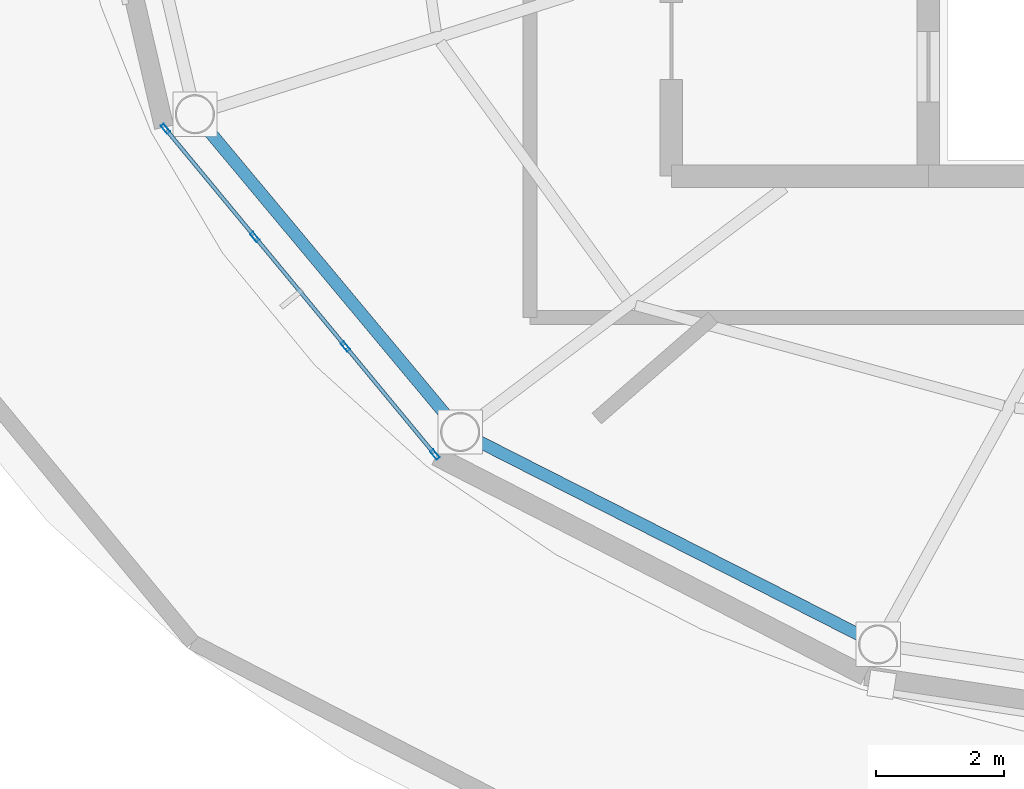
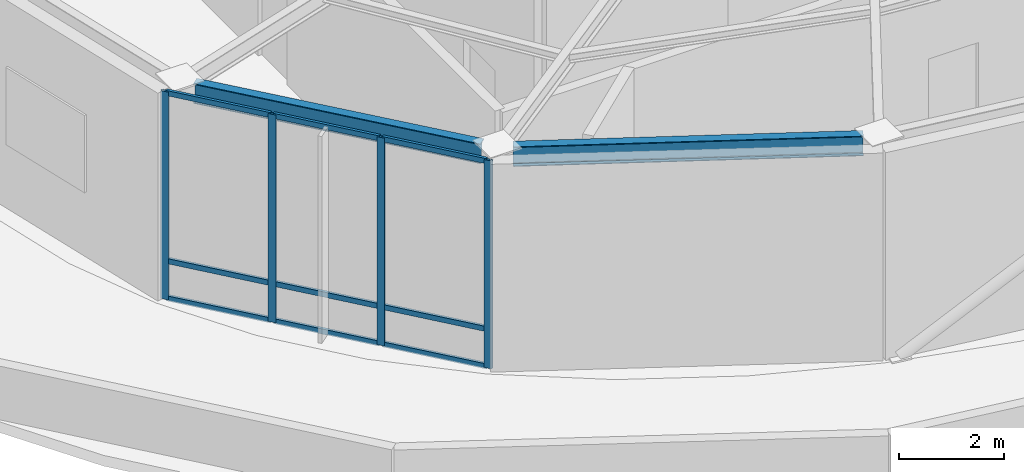
# One storey, part 2 of 15: 13 members, 2 beams, 1 element without a shape of its own.
"""IFC4 building model written with IfcOpenShell, lengths in metres."""

from ifc_helpers import new_model, si_unit, direction, frame, origin, origin_2d, place, context, subcontext, project, spatial, hollow_rectangle, i_section, extrude, material, layer, layer_set, material_profile, profile_set, type_object, element, aggregate, save


model = new_model("IFC4")

# Units and contexts
model_context = context("Model", 3, precision=1e-05, world=origin(), true_north=direction((0.0, 1.0)))
body_context = subcontext(model_context, "Body", "Model", "MODEL_VIEW")
ifc_project = project(units=[si_unit("LENGTHUNIT", "METRE"), si_unit("AREAUNIT", "SQUARE_METRE"), si_unit("VOLUMEUNIT", "CUBIC_METRE"), si_unit("PLANEANGLEUNIT", "RADIAN"), si_unit("MASSUNIT", "GRAM", prefix="KILO")], contexts=[model_context])

# Site, building, storey
site_placement = place(None, origin())
site = spatial("IfcSite", under=ifc_project, at=site_placement, CompositionType="ELEMENT")
building_placement = place(site_placement, origin())
building = spatial("IfcBuilding", under=site, at=building_placement, Name="Sarneth Arch Tower", CompositionType="ELEMENT")
storey_placement = place(building_placement, frame((0.0, 0.0, 316.5)))
storey = spatial("IfcBuildingStorey", under=building, at=storey_placement, Name="L82", CompositionType="ELEMENT", Elevation=316.5)

# Beams
ifc_material_1 = material(Name="Steel S355", Category="steel")
ifc_material_profile_1 = material_profile(ifc_material_1, i_section(OverallWidth=0.19189453125, OverallDepth=0.462890625, WebThickness=0.010498046875, FlangeThickness=0.017578125, FilletRadius=0.01806640625, at=origin_2d()), Name="W460x89")
ifc_profile_set_1 = profile_set([ifc_material_profile_1], Name="Steel S355")
beam_type = type_object("IfcBeamType", Name="BM-RAD-460B", PredefinedType="BEAM", material=ifc_profile_set_1)
beam_1_placement = place(storey_placement, frame((29.778076171875, 35.929931640625, 4.6083984375), z_axis=(0.64067411458, -0.767812919211, 0.0), x_axis=(0.767812919211, 0.64067411458, 0.0)))
element("IfcBeam", 1, at=beam_1_placement, inside=storey, type_object=beam_type, Name="L82 Perimeter spandrel beam 10", PredefinedType="BEAM", context=body_context, shape_type="SweptSolid", body=[
    extrude(i_section(OverallWidth=0.19189453125, OverallDepth=0.462890625, WebThickness=0.010498046875, FlangeThickness=0.017578125, FilletRadius=0.01806640625, at=origin_2d()), origin(), (0.0, 0.0, 1.0), 5.833740234375),
])
beam_2_placement = place(storey_placement, frame((33.98291015625, 31.078369140625, 4.6083984375), z_axis=(0.891524580884, -0.45297231889, 0.0), x_axis=(0.45297231889, 0.891524580884, 0.0)))
element("IfcBeam", 2, at=beam_2_placement, inside=storey, type_object=beam_type, Name="L82 Perimeter spandrel beam 11", PredefinedType="BEAM", context=body_context, shape_type="SweptSolid", body=[
    extrude(i_section(OverallWidth=0.19189453125, OverallDepth=0.462890625, WebThickness=0.010498046875, FlangeThickness=0.017578125, FilletRadius=0.01806640625, at=origin_2d()), origin(), (0.0, 0.0, 1.0), 6.6875),
])

# Curtain wall, members
ifc_material_2 = material(Name="Anodised aluminium Type AA25 and solar-control low-e laminated IGU", Category="aluminium")
ifc_layer = layer(ifc_material_2, 0.18994140625)
ifc_layer_set = layer_set([ifc_layer], Name="Anodised aluminium Type AA25 and solar-control low-e laminated IGU")
curtain_wall_type = type_object("IfcCurtainWallType", Name="CW-CROWN-DRUM", PredefinedType="NOTDEFINED", material=ifc_layer_set)
curtain_wall_placement = place(storey_placement, origin())
curtain_wall = element("IfcCurtainWall", 3, at=curtain_wall_placement, inside=storey, type_object=curtain_wall_type, Name="L82 Unitised curtain wall facet 10", PredefinedType="NOTDEFINED")
ifc_material_3 = material(Name="Anodised Aluminium 6063-T6", Category="aluminium")
ifc_material_profile_2 = material_profile(ifc_material_3, hollow_rectangle(XDim=0.06005859375, YDim=0.159912109375, WallThickness=0.00390625, at=origin_2d()), Name="AL-MULL-160x60x4")
ifc_profile_set_2 = profile_set([ifc_material_profile_2], Name="Anodised Aluminium 6063-T6")
member_type_1 = type_object("IfcMemberType", Name="CW-MULLION", PredefinedType="MULLION", material=ifc_profile_set_2)
member_1_placement = place(storey_placement, frame((29.1220703125, 35.938232421875, 0.0), z_axis=(0.0, 0.0, 1.0), x_axis=(0.770446291962, 0.637504910728, 0.0)))
member_1 = element("IfcMember", 4, at=member_1_placement, type_object=member_type_1, Name="CW-SYS-7 mullion 1", PredefinedType="MULLION", context=body_context, shape_type="SweptSolid", body=[
    extrude(hollow_rectangle(XDim=0.06005859375, YDim=0.159912109375, WallThickness=0.00390625, at=origin_2d()), origin(), (0.0, 0.0, 1.0), 4.840087890625),
])
member_2_placement = place(storey_placement, frame((30.514892578125, 34.2548828125, 0.0), z_axis=(0.0, 0.0, 1.0), x_axis=(0.770446291962, 0.637504910728, 0.0)))
member_2 = element("IfcMember", 5, at=member_2_placement, type_object=member_type_1, Name="CW-SYS-7 mullion 2", PredefinedType="MULLION", context=body_context, shape_type="SweptSolid", body=[
    extrude(hollow_rectangle(XDim=0.06005859375, YDim=0.159912109375, WallThickness=0.00390625, at=origin_2d()), origin(), (0.0, 0.0, 1.0), 4.840087890625),
])
member_3_placement = place(storey_placement, frame((31.927001953125, 32.54833984375, 0.0), z_axis=(0.0, 0.0, 1.0), x_axis=(0.770446291962, 0.637504910728, 0.0)))
member_3 = element("IfcMember", 6, at=member_3_placement, type_object=member_type_1, Name="CW-SYS-7 mullion 3", PredefinedType="MULLION", context=body_context, shape_type="SweptSolid", body=[
    extrude(hollow_rectangle(XDim=0.06005859375, YDim=0.159912109375, WallThickness=0.00390625, at=origin_2d()), origin(), (0.0, 0.0, 1.0), 4.840087890625),
])
member_4_placement = place(storey_placement, frame((33.31982421875, 30.864990234375, 0.0), z_axis=(0.0, 0.0, 1.0), x_axis=(0.770446291962, 0.637504910728, 0.0)))
member_4 = element("IfcMember", 7, at=member_4_placement, type_object=member_type_1, Name="CW-SYS-7 mullion 4", PredefinedType="MULLION", context=body_context, shape_type="SweptSolid", body=[
    extrude(hollow_rectangle(XDim=0.06005859375, YDim=0.159912109375, WallThickness=0.00390625, at=origin_2d()), origin(), (0.0, 0.0, 1.0), 4.840087890625),
])
ifc_material_4 = material(Name="Anodised Aluminium 6063-T6", Category="aluminium")
ifc_material_profile_3 = material_profile(ifc_material_4, hollow_rectangle(XDim=0.06005859375, YDim=0.1201171875, WallThickness=0.00390625, at=origin_2d()), Name="AL-TRAN-120x60x4")
ifc_profile_set_3 = profile_set([ifc_material_profile_3], Name="Anodised Aluminium 6063-T6")
member_type_2 = type_object("IfcMemberType", Name="CW-TRANSOM", PredefinedType="USERDEFINED", material=ifc_profile_set_3)
member_5_placement = place(storey_placement, frame((29.14111328125, 35.9150390625, 0.030029296875), z_axis=(0.637513633204, -0.770439074476, 0.0), x_axis=(0.770439074476, 0.637513633204, 0.0)))
member_5 = element("IfcMember", 8, at=member_5_placement, type_object=member_type_2, Name="CW-SYS-7 transom 1.1", ObjectType="TRANSOM", PredefinedType="USERDEFINED", context=body_context, shape_type="SweptSolid", body=[
    extrude(hollow_rectangle(XDim=0.06005859375, YDim=0.1201171875, WallThickness=0.00390625, at=origin_2d()), origin(), (0.0, 0.0, 1.0), 2.125),
])
member_6_placement = place(storey_placement, frame((29.14111328125, 35.9150390625, 0.89990234375), z_axis=(0.637513633204, -0.770439074476, 0.0), x_axis=(0.770439074476, 0.637513633204, 0.0)))
member_6 = element("IfcMember", 9, at=member_6_placement, type_object=member_type_2, Name="CW-SYS-7 transom 1.2", ObjectType="TRANSOM", PredefinedType="USERDEFINED", context=body_context, shape_type="SweptSolid", body=[
    extrude(hollow_rectangle(XDim=0.06005859375, YDim=0.1201171875, WallThickness=0.00390625, at=origin_2d()), origin(), (0.0, 0.0, 1.0), 2.125),
])
member_7_placement = place(storey_placement, frame((29.14111328125, 35.9150390625, 4.81005859375), z_axis=(0.637513633204, -0.770439074476, 0.0), x_axis=(0.770439074476, 0.637513633204, 0.0)))
member_7 = element("IfcMember", 10, at=member_7_placement, type_object=member_type_2, Name="CW-SYS-7 transom 1.3", ObjectType="TRANSOM", PredefinedType="USERDEFINED", context=body_context, shape_type="SweptSolid", body=[
    extrude(hollow_rectangle(XDim=0.06005859375, YDim=0.1201171875, WallThickness=0.00390625, at=origin_2d()), origin(), (0.0, 0.0, 1.0), 2.125),
])
member_8_placement = place(storey_placement, frame((30.533935546875, 34.231689453125, 0.030029296875), z_axis=(0.637528294743, -0.770426942287, 0.0), x_axis=(0.770426942287, 0.637528294743, 0.0)))
member_8 = element("IfcMember", 11, at=member_8_placement, type_object=member_type_2, Name="CW-SYS-7 transom 2.1", ObjectType="TRANSOM", PredefinedType="USERDEFINED", context=body_context, shape_type="SweptSolid", body=[
    extrude(hollow_rectangle(XDim=0.06005859375, YDim=0.1201171875, WallThickness=0.00390625, at=origin_2d()), origin(), (0.0, 0.0, 1.0), 2.15478515625),
])
member_9_placement = place(storey_placement, frame((30.533935546875, 34.231689453125, 0.89990234375), z_axis=(0.637528294743, -0.770426942287, 0.0), x_axis=(0.770426942287, 0.637528294743, 0.0)))
member_9 = element("IfcMember", 12, at=member_9_placement, type_object=member_type_2, Name="CW-SYS-7 transom 2.2", ObjectType="TRANSOM", PredefinedType="USERDEFINED", context=body_context, shape_type="SweptSolid", body=[
    extrude(hollow_rectangle(XDim=0.06005859375, YDim=0.1201171875, WallThickness=0.00390625, at=origin_2d()), origin(), (0.0, 0.0, 1.0), 2.15478515625),
])
member_10_placement = place(storey_placement, frame((30.533935546875, 34.231689453125, 4.81005859375), z_axis=(0.637528294743, -0.770426942287, 0.0), x_axis=(0.770426942287, 0.637528294743, 0.0)))
member_10 = element("IfcMember", 13, at=member_10_placement, type_object=member_type_2, Name="CW-SYS-7 transom 2.3", ObjectType="TRANSOM", PredefinedType="USERDEFINED", context=body_context, shape_type="SweptSolid", body=[
    extrude(hollow_rectangle(XDim=0.06005859375, YDim=0.1201171875, WallThickness=0.00390625, at=origin_2d()), origin(), (0.0, 0.0, 1.0), 2.15478515625),
])
member_11_placement = place(storey_placement, frame((31.946044921875, 32.525146484375, 0.030029296875), z_axis=(0.637570065512, -0.770392375068, 0.0), x_axis=(0.770392375068, 0.637570065512, 0.0)))
member_11 = element("IfcMember", 14, at=member_11_placement, type_object=member_type_2, Name="CW-SYS-7 transom 3.1", ObjectType="TRANSOM", PredefinedType="USERDEFINED", context=body_context, shape_type="SweptSolid", body=[
    extrude(hollow_rectangle(XDim=0.06005859375, YDim=0.1201171875, WallThickness=0.00390625, at=origin_2d()), origin(), (0.0, 0.0, 1.0), 2.124755859375),
])
member_12_placement = place(storey_placement, frame((31.946044921875, 32.525146484375, 0.89990234375), z_axis=(0.637570065512, -0.770392375068, 0.0), x_axis=(0.770392375068, 0.637570065512, 0.0)))
member_12 = element("IfcMember", 15, at=member_12_placement, type_object=member_type_2, Name="CW-SYS-7 transom 3.2", ObjectType="TRANSOM", PredefinedType="USERDEFINED", context=body_context, shape_type="SweptSolid", body=[
    extrude(hollow_rectangle(XDim=0.06005859375, YDim=0.1201171875, WallThickness=0.00390625, at=origin_2d()), origin(), (0.0, 0.0, 1.0), 2.124755859375),
])
member_13_placement = place(storey_placement, frame((31.946044921875, 32.525146484375, 4.81005859375), z_axis=(0.637570065512, -0.770392375068, 0.0), x_axis=(0.770392375068, 0.637570065512, 0.0)))
member_13 = element("IfcMember", 16, at=member_13_placement, type_object=member_type_2, Name="CW-SYS-7 transom 3.3", ObjectType="TRANSOM", PredefinedType="USERDEFINED", context=body_context, shape_type="SweptSolid", body=[
    extrude(hollow_rectangle(XDim=0.06005859375, YDim=0.1201171875, WallThickness=0.00390625, at=origin_2d()), origin(), (0.0, 0.0, 1.0), 2.124755859375),
])
aggregate(curtain_wall, [member_1, member_2, member_3, member_4, member_5, member_6, member_7, member_8, member_9, member_10, member_11, member_12, member_13])

save(model, "model.ifc")
